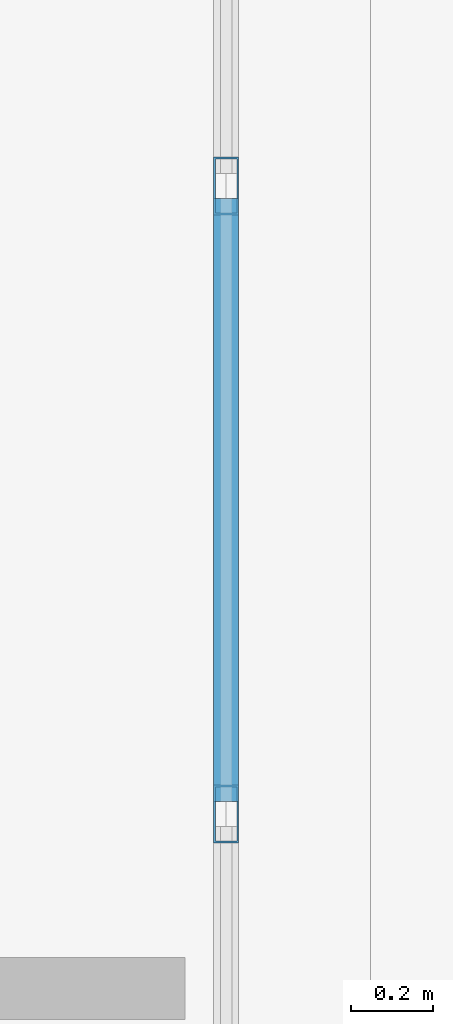
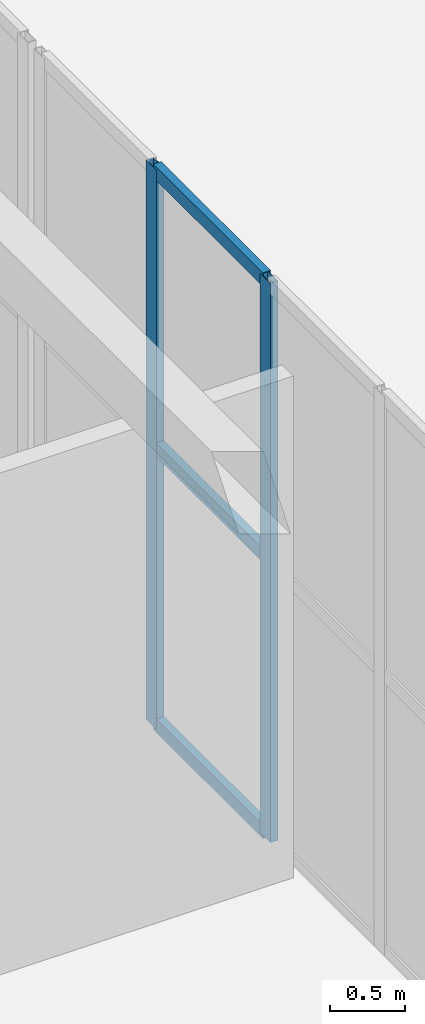
# One storey, part 79 of 158: 5 members, 1 element without a shape of its own.
"""IFC4 building model written with IfcOpenShell, lengths in metres."""

from ifc_helpers import new_model, si_unit, direction, frame, origin, origin_2d, place, context, subcontext, project, spatial, hollow_rectangle, extrude, material, layer, layer_set, material_profile, profile_set, type_object, element, aggregate, save


model = new_model("IFC4")

# Units and contexts
model_context = context("Model", 3, precision=1e-05, world=origin(), true_north=direction((0.0, 1.0)))
body_context = subcontext(model_context, "Body", "Model", "MODEL_VIEW")
ifc_project = project(units=[si_unit("LENGTHUNIT", "METRE"), si_unit("AREAUNIT", "SQUARE_METRE"), si_unit("VOLUMEUNIT", "CUBIC_METRE"), si_unit("PLANEANGLEUNIT", "RADIAN"), si_unit("MASSUNIT", "GRAM", prefix="KILO")], contexts=[model_context])

# Site, building, storey
site_placement = place(None, origin())
site = spatial("IfcSite", under=ifc_project, at=site_placement, CompositionType="ELEMENT")
building_placement = place(site_placement, origin())
building = spatial("IfcBuilding", under=site, at=building_placement, Name="Trelvath General Hospital", CompositionType="ELEMENT")
storey_placement = place(building_placement, frame((0.0, 0.0, 8.10009765625)))
storey = spatial("IfcBuildingStorey", under=building, at=storey_placement, Name="L02", CompositionType="ELEMENT", Elevation=8.10009765625)

# Curtain wall, members
ifc_material_1 = material(Name="Anodised aluminium and low-E glass", Category="aluminium")
ifc_layer = layer(ifc_material_1, 0.139892578125)
ifc_layer_set = layer_set([ifc_layer], Name="Anodised aluminium and low-E glass")
curtain_wall_type = type_object("IfcCurtainWallType", Name="CW CrystalCube 914 456 14", PredefinedType="USERDEFINED", material=ifc_layer_set)
curtain_wall_placement = place(storey_placement, origin())
curtain_wall = element("IfcCurtainWall", 1, at=curtain_wall_placement, inside=storey, type_object=curtain_wall_type, Name="Crystal Cube Curtain Wall CUBE-E-T1 E5 L02", ObjectType="Unitised Glazed Curtain Wall", PredefinedType="USERDEFINED")
ifc_material_2 = material(Name="Anodised aluminium", Category="aluminium")
ifc_material_profile_1 = material_profile(ifc_material_2, hollow_rectangle(XDim=0.06005859375, YDim=0.139892578125, WallThickness=0.00390625, at=origin_2d()), Name="RHS60x140x4")
ifc_profile_set_1 = profile_set([ifc_material_profile_1], Name="Anodised aluminium")
member_type_1 = type_object("IfcMemberType", Name="CurtainMullion 60x140", PredefinedType="MULLION", material=ifc_profile_set_1)
member_1_placement = place(storey_placement, frame((114.800048828125, 65.5966796875, 0.0), z_axis=(0.0, 0.0, 1.0), x_axis=(1.0, 0.0, 0.0)))
member_1 = element("IfcMember", 2, at=member_1_placement, type_object=member_type_1, Name="CW-215 mullion 2", PredefinedType="MULLION", context=body_context, shape_type="SweptSolid", body=[
    extrude(hollow_rectangle(XDim=0.06005859375, YDim=0.139892578125, WallThickness=0.00390625, at=origin_2d()), origin(), (0.0, 0.0, 1.0), 4.559814453125),
])
member_2_placement = place(storey_placement, frame((114.800048828125, 64.0732421875, 0.0), z_axis=(0.0, 0.0, 1.0), x_axis=(1.0, 0.0, 0.0)))
member_2 = element("IfcMember", 3, at=member_2_placement, type_object=member_type_1, Name="CW-215 mullion 3", PredefinedType="MULLION", context=body_context, shape_type="SweptSolid", body=[
    extrude(hollow_rectangle(XDim=0.06005859375, YDim=0.139892578125, WallThickness=0.00390625, at=origin_2d()), origin(), (0.0, 0.0, 1.0), 4.559814453125),
])
ifc_material_3 = material(Name="Anodised aluminium", Category="aluminium")
ifc_material_profile_2 = material_profile(ifc_material_3, hollow_rectangle(XDim=0.06005859375, YDim=0.110107421875, WallThickness=0.00390625, at=origin_2d()), Name="RHS60x110x4")
ifc_profile_set_2 = profile_set([ifc_material_profile_2], Name="Anodised aluminium")
member_type_2 = type_object("IfcMemberType", Name="CurtainTransom 60x110", PredefinedType="USERDEFINED", material=ifc_profile_set_2)
member_3_placement = place(storey_placement, frame((114.800048828125, 65.566650390625, 0.02978515625), z_axis=(0.0, -1.0, 0.0), x_axis=(1.0, 0.0, 0.0)))
member_3 = element("IfcMember", 4, at=member_3_placement, type_object=member_type_2, Name="CW-215 transom 2.1", ObjectType="TRANSOM", PredefinedType="USERDEFINED", context=body_context, shape_type="SweptSolid", body=[
    extrude(hollow_rectangle(XDim=0.06005859375, YDim=0.110107421875, WallThickness=0.00390625, at=origin_2d()), origin(), (0.0, 0.0, 1.0), 1.46337890625),
])
member_4_placement = place(storey_placement, frame((114.800048828125, 65.566650390625, 2.27978515625), z_axis=(0.0, -1.0, 0.0), x_axis=(1.0, 0.0, 0.0)))
member_4 = element("IfcMember", 5, at=member_4_placement, type_object=member_type_2, Name="CW-215 transom 2.2", ObjectType="TRANSOM", PredefinedType="USERDEFINED", context=body_context, shape_type="SweptSolid", body=[
    extrude(hollow_rectangle(XDim=0.06005859375, YDim=0.110107421875, WallThickness=0.00390625, at=origin_2d()), origin(), (0.0, 0.0, 1.0), 1.46337890625),
])
member_5_placement = place(storey_placement, frame((114.800048828125, 65.566650390625, 4.52978515625), z_axis=(0.0, -1.0, 0.0), x_axis=(1.0, 0.0, 0.0)))
member_5 = element("IfcMember", 6, at=member_5_placement, type_object=member_type_2, Name="CW-215 transom 2.3", ObjectType="TRANSOM", PredefinedType="USERDEFINED", context=body_context, shape_type="SweptSolid", body=[
    extrude(hollow_rectangle(XDim=0.06005859375, YDim=0.110107421875, WallThickness=0.00390625, at=origin_2d()), origin(), (0.0, 0.0, 1.0), 1.46337890625),
])
aggregate(curtain_wall, [member_1, member_2, member_3, member_4, member_5])

save(model, "model.ifc")
